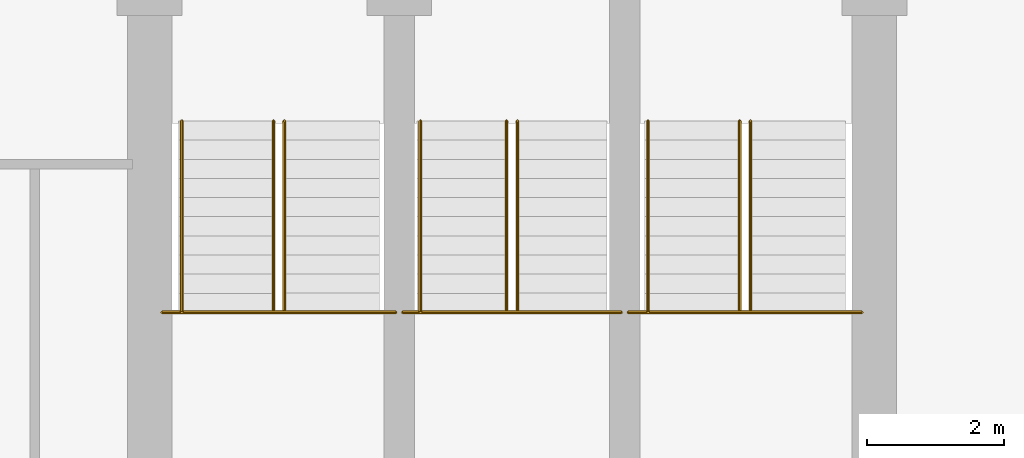
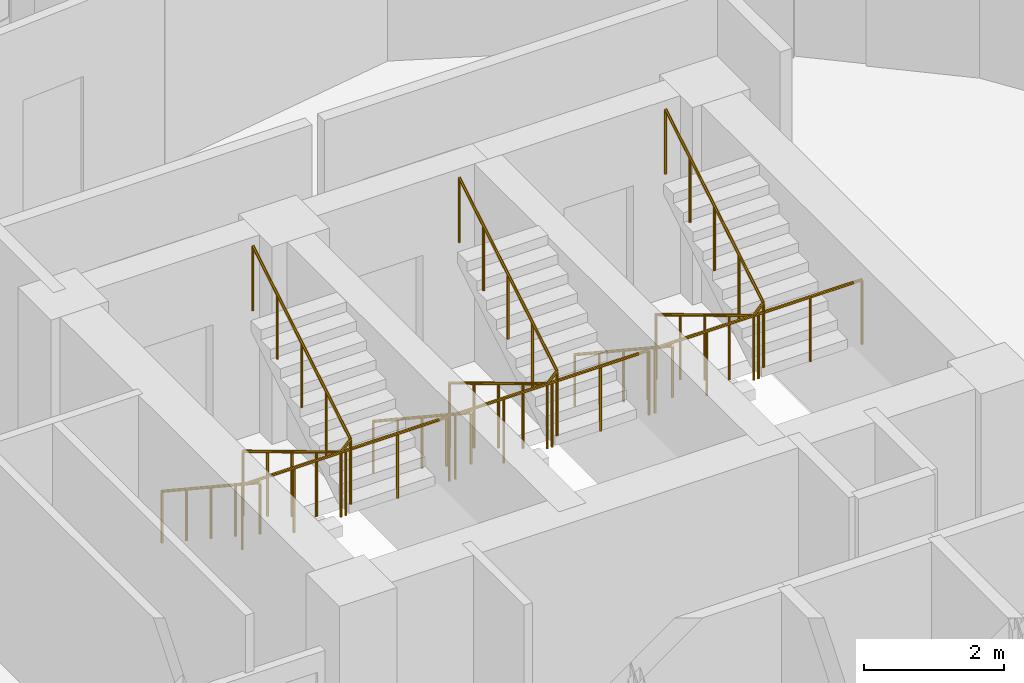
# One storey, part 26 of 26: 9 railings.
"""IFC4 building model written with IfcOpenShell, lengths in metres."""

from ifc_helpers import new_model, si_unit, direction, frame, origin, place, context, subcontext, project, spatial, polyline, outline, extrude, material, type_object, element, save


model = new_model("IFC4")

# Units and contexts
model_context = context("Model", 3, precision=1e-05, world=origin(), true_north=direction((0.0, 1.0)))
body_context = subcontext(model_context, "Body", "Model", "MODEL_VIEW")
ifc_project = project(units=[si_unit("LENGTHUNIT", "METRE"), si_unit("AREAUNIT", "SQUARE_METRE"), si_unit("VOLUMEUNIT", "CUBIC_METRE"), si_unit("PLANEANGLEUNIT", "RADIAN"), si_unit("MASSUNIT", "GRAM", prefix="KILO")], contexts=[model_context])

# Site, building, storey
site_placement = place(None, origin())
site = spatial("IfcSite", under=ifc_project, at=site_placement, CompositionType="ELEMENT")
building_placement = place(site_placement, origin())
building = spatial("IfcBuilding", under=site, at=building_placement, Name="Nuhasar Tower", CompositionType="ELEMENT")
storey_placement = place(building_placement, frame((0.0, 0.0, 173.75)))
storey = spatial("IfcBuildingStorey", under=building, at=storey_placement, Name="L42", CompositionType="ELEMENT", Elevation=173.75)

# Railings
ifc_material_1 = material(Name="Steel S355", Category="steel")
railing_type_1 = type_object("IfcRailingType", Name="RLG-STAIR-GUARD-1150", PredefinedType="GUARDRAIL", material=ifc_material_1)
railing_1_placement = place(storey_placement, frame((33.8798828125, 32.485107421875, 1.85009765625)))
element("IfcRailing", 1, at=railing_1_placement, inside=storey, type_object=railing_type_1, Name="L42 Stair ST-01 Guardrail LND", PredefinedType="GUARDRAIL", context=body_context, shape_type="SweptSolid", body=[
    extrude(outline(polyline([(0.024169921875, 0.0), (0.01708984375, 0.01708984375), (0.0, 0.024169921875), (-0.01708984375, 0.01708984375), (-0.024169921875, 0.0), (-0.01708984375, -0.01708984375), (0.0, -0.024169921875), (0.01708984375, -0.01708984375), (0.024169921875, 0.0)])), frame((0.0, 0.0, 1.1259765625), z_axis=(1.0, 0.0, 0.0), x_axis=(0.0, 1.0, 0.0)), (0.0, 0.0, 1.0), 3.420166015625),
    extrude(outline(polyline([(0.02099609375, 0.0), (0.014892578125, 0.014892578125), (0.0, 0.02099609375), (-0.014892578125, 0.014892578125), (-0.02099609375, 0.0), (-0.014892578125, -0.014892578125), (0.0, -0.02099609375), (0.014892578125, -0.014892578125), (0.02099609375, 0.0)])), origin(), (0.0, 0.0, 1.0), 1.101806640625),
    extrude(outline(polyline([(0.02099609375, 0.0), (0.014892578125, 0.014892578125), (0.0, 0.02099609375), (-0.014892578125, 0.014892578125), (-0.02099609375, 0.0), (-0.014892578125, -0.014892578125), (0.0, -0.02099609375), (0.014892578125, -0.014892578125), (0.02099609375, 0.0)])), frame((0.85498046875, 0.0, 0.0)), (0.0, 0.0, 1.0), 1.101806640625),
    extrude(outline(polyline([(0.02099609375, 0.0), (0.014892578125, 0.014892578125), (0.0, 0.02099609375), (-0.014892578125, 0.014892578125), (-0.02099609375, 0.0), (-0.014892578125, -0.014892578125), (0.0, -0.02099609375), (0.014892578125, -0.014892578125), (0.02099609375, 0.0)])), frame((1.7099609375, 0.0, 0.0)), (0.0, 0.0, 1.0), 1.101806640625),
    extrude(outline(polyline([(0.02099609375, 0.0), (0.014892578125, 0.014892578125), (0.0, 0.02099609375), (-0.014892578125, 0.014892578125), (-0.02099609375, 0.0), (-0.014892578125, -0.014892578125), (0.0, -0.02099609375), (0.014892578125, -0.014892578125), (0.02099609375, 0.0)])), frame((2.565185546875, 0.0, 0.0)), (0.0, 0.0, 1.0), 1.101806640625),
    extrude(outline(polyline([(0.02099609375, 0.0), (0.014892578125, 0.014892578125), (0.0, 0.02099609375), (-0.014892578125, 0.014892578125), (-0.02099609375, 0.0), (-0.014892578125, -0.014892578125), (0.0, -0.02099609375), (0.014892578125, -0.014892578125), (0.02099609375, 0.0)])), frame((3.420166015625, 0.0, 0.0)), (0.0, 0.0, 1.0), 1.101806640625),
])
railing_2_placement = place(storey_placement, frame((35.510009765625, 35.284912109375, 0.16796875)))
element("IfcRailing", 2, at=railing_2_placement, inside=storey, type_object=railing_type_1, Name="L42 Stair ST-01 Guardrail SLT", PredefinedType="GUARDRAIL", context=body_context, shape_type="SweptSolid", body=[
    extrude(outline(polyline([(0.024169921875, 0.0), (0.01708984375, 0.01708984375), (0.0, 0.024169921875), (-0.01708984375, 0.01708984375), (-0.024169921875, 0.0), (-0.01708984375, -0.01708984375), (0.0, -0.024169921875), (0.01708984375, -0.01708984375), (0.024169921875, 0.0)])), frame((0.0, 0.0, 1.1259765625), z_axis=(0.0, -0.857189395008, 0.515001302023), x_axis=(1.0, 0.0, 0.0)), (0.0, 0.0, 1.0), 3.266357421875),
    extrude(outline(polyline([(0.024169921875, 0.0), (0.01708984375, 0.01708984375), (0.0, 0.024169921875), (-0.01708984375, 0.01708984375), (-0.024169921875, 0.0), (-0.01708984375, -0.01708984375), (0.0, -0.024169921875), (0.01708984375, -0.01708984375), (0.024169921875, 0.0)])), frame((0.0, -2.7998046875, 2.80810546875), z_axis=(0.689523729023, 0.0, 0.72426309247), x_axis=(0.0, 1.0, 0.0)), (0.0, 0.0, 1.0), 0.23193359375),
    extrude(outline(polyline([(0.024169921875, 0.0), (0.01708984375, 0.01708984375), (0.0, 0.024169921875), (-0.01708984375, 0.01708984375), (-0.024169921875, 0.0), (-0.01708984375, -0.01708984375), (0.0, -0.024169921875), (0.01708984375, -0.01708984375), (0.024169921875, 0.0)])), frame((0.159912109375, -2.7998046875, 2.97607421875), z_axis=(0.0, 0.857222391501, 0.514946377315), x_axis=(-1.0, 0.0, 0.0)), (0.0, 0.0, 1.0), 3.26611328125),
    extrude(outline(polyline([(0.02099609375, 0.0), (0.014892578125, 0.014892578125), (0.0, 0.02099609375), (-0.014892578125, 0.014892578125), (-0.02099609375, 0.0), (-0.014892578125, -0.014892578125), (0.0, -0.02099609375), (0.014892578125, -0.014892578125), (0.02099609375, 0.0)])), origin(), (0.0, 0.0, 1.0), 1.101806640625),
    extrude(outline(polyline([(0.02099609375, 0.0), (0.014892578125, 0.014892578125), (0.0, 0.02099609375), (-0.014892578125, 0.014892578125), (-0.02099609375, 0.0), (-0.014892578125, -0.014892578125), (0.0, -0.02099609375), (0.014892578125, -0.014892578125), (0.02099609375, 0.0)])), frame((0.0, -0.699951171875, 0.42041015625)), (0.0, 0.0, 1.0), 1.101806640625),
    extrude(outline(polyline([(0.02099609375, 0.0), (0.014892578125, 0.014892578125), (0.0, 0.02099609375), (-0.014892578125, 0.014892578125), (-0.02099609375, 0.0), (-0.014892578125, -0.014892578125), (0.0, -0.02099609375), (0.014892578125, -0.014892578125), (0.02099609375, 0.0)])), frame((0.0, -1.39990234375, 0.841064453125)), (0.0, 0.0, 1.0), 1.101806640625),
    extrude(outline(polyline([(0.02099609375, 0.0), (0.014892578125, 0.014892578125), (0.0, 0.02099609375), (-0.014892578125, 0.014892578125), (-0.02099609375, 0.0), (-0.014892578125, -0.014892578125), (0.0, -0.02099609375), (0.014892578125, -0.014892578125), (0.02099609375, 0.0)])), frame((0.0, -2.099853515625, 1.26171875)), (0.0, 0.0, 1.0), 1.101806640625),
    extrude(outline(polyline([(0.02099609375, 0.0), (0.014892578125, 0.014892578125), (0.0, 0.02099609375), (-0.014892578125, 0.014892578125), (-0.02099609375, 0.0), (-0.014892578125, -0.014892578125), (0.0, -0.02099609375), (0.014892578125, -0.014892578125), (0.02099609375, 0.0)])), frame((0.0, -2.7998046875, 1.68212890625)), (0.0, 0.0, 1.0), 1.101806640625),
    extrude(outline(polyline([(0.02099609375, 0.0), (0.014892578125, 0.014892578125), (0.0, 0.02099609375), (-0.014892578125, 0.014892578125), (-0.02099609375, 0.0), (-0.014892578125, -0.014892578125), (0.0, -0.02099609375), (0.014892578125, -0.014892578125), (0.02099609375, 0.0)])), frame((0.159912109375, -2.7998046875, 1.85009765625)), (0.0, 0.0, 1.0), 1.101806640625),
    extrude(outline(polyline([(0.02099609375, 0.0), (0.014892578125, 0.014892578125), (0.0, 0.02099609375), (-0.014892578125, 0.014892578125), (-0.02099609375, 0.0), (-0.014892578125, -0.014892578125), (0.0, -0.02099609375), (0.014892578125, -0.014892578125), (0.02099609375, 0.0)])), frame((0.159912109375, -2.099853515625, 2.2705078125)), (0.0, 0.0, 1.0), 1.101806640625),
    extrude(outline(polyline([(0.02099609375, 0.0), (0.014892578125, 0.014892578125), (0.0, 0.02099609375), (-0.014892578125, 0.014892578125), (-0.02099609375, 0.0), (-0.014892578125, -0.014892578125), (0.0, -0.02099609375), (0.014892578125, -0.014892578125), (0.02099609375, 0.0)])), frame((0.159912109375, -1.39990234375, 2.69091796875)), (0.0, 0.0, 1.0), 1.101806640625),
    extrude(outline(polyline([(0.02099609375, 0.0), (0.014892578125, 0.014892578125), (0.0, 0.02099609375), (-0.014892578125, 0.014892578125), (-0.02099609375, 0.0), (-0.014892578125, -0.014892578125), (0.0, -0.02099609375), (0.014892578125, -0.014892578125), (0.02099609375, 0.0)])), frame((0.159912109375, -0.699951171875, 3.111572265625)), (0.0, 0.0, 1.0), 1.101806640625),
    extrude(outline(polyline([(0.02099609375, 0.0), (0.014892578125, 0.014892578125), (0.0, 0.02099609375), (-0.014892578125, 0.014892578125), (-0.02099609375, 0.0), (-0.014892578125, -0.014892578125), (0.0, -0.02099609375), (0.014892578125, -0.014892578125), (0.02099609375, 0.0)])), frame((0.159912109375, 0.0, 3.531982421875)), (0.0, 0.0, 1.0), 1.101806640625),
])
railing_3_placement = place(storey_placement, frame((37.39990234375, 32.485107421875, 1.85009765625)))
element("IfcRailing", 3, at=railing_3_placement, inside=storey, type_object=railing_type_1, Name="L42 Stair ST-03 Guardrail LND", PredefinedType="GUARDRAIL", context=body_context, shape_type="SweptSolid", body=[
    extrude(outline(polyline([(0.024169921875, 0.0), (0.01708984375, 0.01708984375), (0.0, 0.024169921875), (-0.01708984375, 0.01708984375), (-0.024169921875, 0.0), (-0.01708984375, -0.01708984375), (0.0, -0.024169921875), (0.01708984375, -0.01708984375), (0.024169921875, 0.0)])), frame((0.0, 0.0, 1.1259765625), z_axis=(1.0, 0.0, 0.0), x_axis=(0.0, 1.0, 0.0)), (0.0, 0.0, 1.0), 3.2001953125),
    extrude(outline(polyline([(0.02099609375, 0.0), (0.014892578125, 0.014892578125), (0.0, 0.02099609375), (-0.014892578125, 0.014892578125), (-0.02099609375, 0.0), (-0.014892578125, -0.014892578125), (0.0, -0.02099609375), (0.014892578125, -0.014892578125), (0.02099609375, 0.0)])), origin(), (0.0, 0.0, 1.0), 1.101806640625),
    extrude(outline(polyline([(0.02099609375, 0.0), (0.014892578125, 0.014892578125), (0.0, 0.02099609375), (-0.014892578125, 0.014892578125), (-0.02099609375, 0.0), (-0.014892578125, -0.014892578125), (0.0, -0.02099609375), (0.014892578125, -0.014892578125), (0.02099609375, 0.0)])), frame((0.800048828125, 0.0, 0.0)), (0.0, 0.0, 1.0), 1.101806640625),
    extrude(outline(polyline([(0.02099609375, 0.0), (0.014892578125, 0.014892578125), (0.0, 0.02099609375), (-0.014892578125, 0.014892578125), (-0.02099609375, 0.0), (-0.014892578125, -0.014892578125), (0.0, -0.02099609375), (0.014892578125, -0.014892578125), (0.02099609375, 0.0)])), frame((1.60009765625, 0.0, 0.0)), (0.0, 0.0, 1.0), 1.101806640625),
    extrude(outline(polyline([(0.02099609375, 0.0), (0.014892578125, 0.014892578125), (0.0, 0.02099609375), (-0.014892578125, 0.014892578125), (-0.02099609375, 0.0), (-0.014892578125, -0.014892578125), (0.0, -0.02099609375), (0.014892578125, -0.014892578125), (0.02099609375, 0.0)])), frame((2.400146484375, 0.0, 0.0)), (0.0, 0.0, 1.0), 1.101806640625),
    extrude(outline(polyline([(0.02099609375, 0.0), (0.014892578125, 0.014892578125), (0.0, 0.02099609375), (-0.014892578125, 0.014892578125), (-0.02099609375, 0.0), (-0.014892578125, -0.014892578125), (0.0, -0.02099609375), (0.014892578125, -0.014892578125), (0.02099609375, 0.0)])), frame((3.2001953125, 0.0, 0.0)), (0.0, 0.0, 1.0), 1.101806640625),
])
railing_4_placement = place(storey_placement, frame((38.919921875, 35.284912109375, 0.16796875)))
element("IfcRailing", 4, at=railing_4_placement, inside=storey, type_object=railing_type_1, Name="L42 Stair ST-03 Guardrail SLT", PredefinedType="GUARDRAIL", context=body_context, shape_type="SweptSolid", body=[
    extrude(outline(polyline([(0.024169921875, 0.0), (0.01708984375, 0.01708984375), (0.0, 0.024169921875), (-0.01708984375, 0.01708984375), (-0.024169921875, 0.0), (-0.01708984375, -0.01708984375), (0.0, -0.024169921875), (0.01708984375, -0.01708984375), (0.024169921875, 0.0)])), frame((0.0, 0.0, 1.1259765625), z_axis=(0.0, -0.857189395008, 0.515001302023), x_axis=(1.0, 0.0, 0.0)), (0.0, 0.0, 1.0), 3.266357421875),
    extrude(outline(polyline([(0.024169921875, 0.0), (0.01708984375, 0.01708984375), (0.0, 0.024169921875), (-0.01708984375, 0.01708984375), (-0.024169921875, 0.0), (-0.01708984375, -0.01708984375), (0.0, -0.024169921875), (0.01708984375, -0.01708984375), (0.024169921875, 0.0)])), frame((0.0, -2.7998046875, 2.80810546875), z_axis=(0.690075333573, 0.0, 0.723737544967), x_axis=(0.0, 1.0, 0.0)), (0.0, 0.0, 1.0), 0.232177734375),
    extrude(outline(polyline([(0.024169921875, 0.0), (0.01708984375, 0.01708984375), (0.0, 0.024169921875), (-0.01708984375, 0.01708984375), (-0.024169921875, 0.0), (-0.01708984375, -0.01708984375), (0.0, -0.024169921875), (0.01708984375, -0.01708984375), (0.024169921875, 0.0)])), frame((0.16015625, -2.7998046875, 2.97607421875), z_axis=(0.0, 0.857222391501, 0.514946377315), x_axis=(-1.0, 0.0, 0.0)), (0.0, 0.0, 1.0), 3.26611328125),
    extrude(outline(polyline([(0.02099609375, 0.0), (0.014892578125, 0.014892578125), (0.0, 0.02099609375), (-0.014892578125, 0.014892578125), (-0.02099609375, 0.0), (-0.014892578125, -0.014892578125), (0.0, -0.02099609375), (0.014892578125, -0.014892578125), (0.02099609375, 0.0)])), origin(), (0.0, 0.0, 1.0), 1.101806640625),
    extrude(outline(polyline([(0.02099609375, 0.0), (0.014892578125, 0.014892578125), (0.0, 0.02099609375), (-0.014892578125, 0.014892578125), (-0.02099609375, 0.0), (-0.014892578125, -0.014892578125), (0.0, -0.02099609375), (0.014892578125, -0.014892578125), (0.02099609375, 0.0)])), frame((0.0, -0.699951171875, 0.42041015625)), (0.0, 0.0, 1.0), 1.101806640625),
    extrude(outline(polyline([(0.02099609375, 0.0), (0.014892578125, 0.014892578125), (0.0, 0.02099609375), (-0.014892578125, 0.014892578125), (-0.02099609375, 0.0), (-0.014892578125, -0.014892578125), (0.0, -0.02099609375), (0.014892578125, -0.014892578125), (0.02099609375, 0.0)])), frame((0.0, -1.39990234375, 0.841064453125)), (0.0, 0.0, 1.0), 1.101806640625),
    extrude(outline(polyline([(0.02099609375, 0.0), (0.014892578125, 0.014892578125), (0.0, 0.02099609375), (-0.014892578125, 0.014892578125), (-0.02099609375, 0.0), (-0.014892578125, -0.014892578125), (0.0, -0.02099609375), (0.014892578125, -0.014892578125), (0.02099609375, 0.0)])), frame((0.0, -2.099853515625, 1.26171875)), (0.0, 0.0, 1.0), 1.101806640625),
    extrude(outline(polyline([(0.02099609375, 0.0), (0.014892578125, 0.014892578125), (0.0, 0.02099609375), (-0.014892578125, 0.014892578125), (-0.02099609375, 0.0), (-0.014892578125, -0.014892578125), (0.0, -0.02099609375), (0.014892578125, -0.014892578125), (0.02099609375, 0.0)])), frame((0.0, -2.7998046875, 1.68212890625)), (0.0, 0.0, 1.0), 1.101806640625),
    extrude(outline(polyline([(0.02099609375, 0.0), (0.014892578125, 0.014892578125), (0.0, 0.02099609375), (-0.014892578125, 0.014892578125), (-0.02099609375, 0.0), (-0.014892578125, -0.014892578125), (0.0, -0.02099609375), (0.014892578125, -0.014892578125), (0.02099609375, 0.0)])), frame((0.16015625, -2.7998046875, 1.85009765625)), (0.0, 0.0, 1.0), 1.101806640625),
    extrude(outline(polyline([(0.02099609375, 0.0), (0.014892578125, 0.014892578125), (0.0, 0.02099609375), (-0.014892578125, 0.014892578125), (-0.02099609375, 0.0), (-0.014892578125, -0.014892578125), (0.0, -0.02099609375), (0.014892578125, -0.014892578125), (0.02099609375, 0.0)])), frame((0.16015625, -2.099853515625, 2.2705078125)), (0.0, 0.0, 1.0), 1.101806640625),
    extrude(outline(polyline([(0.02099609375, 0.0), (0.014892578125, 0.014892578125), (0.0, 0.02099609375), (-0.014892578125, 0.014892578125), (-0.02099609375, 0.0), (-0.014892578125, -0.014892578125), (0.0, -0.02099609375), (0.014892578125, -0.014892578125), (0.02099609375, 0.0)])), frame((0.16015625, -1.39990234375, 2.69091796875)), (0.0, 0.0, 1.0), 1.101806640625),
    extrude(outline(polyline([(0.02099609375, 0.0), (0.014892578125, 0.014892578125), (0.0, 0.02099609375), (-0.014892578125, 0.014892578125), (-0.02099609375, 0.0), (-0.014892578125, -0.014892578125), (0.0, -0.02099609375), (0.014892578125, -0.014892578125), (0.02099609375, 0.0)])), frame((0.16015625, -0.699951171875, 3.111572265625)), (0.0, 0.0, 1.0), 1.101806640625),
    extrude(outline(polyline([(0.02099609375, 0.0), (0.014892578125, 0.014892578125), (0.0, 0.02099609375), (-0.014892578125, 0.014892578125), (-0.02099609375, 0.0), (-0.014892578125, -0.014892578125), (0.0, -0.02099609375), (0.014892578125, -0.014892578125), (0.02099609375, 0.0)])), frame((0.16015625, 0.0, 3.531982421875)), (0.0, 0.0, 1.0), 1.101806640625),
])
railing_5_placement = place(storey_placement, frame((40.699951171875, 32.485107421875, 1.85009765625)))
element("IfcRailing", 5, at=railing_5_placement, inside=storey, type_object=railing_type_1, Name="L42 Stair ST-02 Guardrail LND", PredefinedType="GUARDRAIL", context=body_context, shape_type="SweptSolid", body=[
    extrude(outline(polyline([(0.024169921875, 0.0), (0.01708984375, 0.01708984375), (0.0, 0.024169921875), (-0.01708984375, 0.01708984375), (-0.024169921875, 0.0), (-0.01708984375, -0.01708984375), (0.0, -0.024169921875), (0.01708984375, -0.01708984375), (0.024169921875, 0.0)])), frame((0.0, 0.0, 1.1259765625), z_axis=(1.0, 0.0, 0.0), x_axis=(0.0, 1.0, 0.0)), (0.0, 0.0, 1.0), 3.420166015625),
    extrude(outline(polyline([(0.02099609375, 0.0), (0.014892578125, 0.014892578125), (0.0, 0.02099609375), (-0.014892578125, 0.014892578125), (-0.02099609375, 0.0), (-0.014892578125, -0.014892578125), (0.0, -0.02099609375), (0.014892578125, -0.014892578125), (0.02099609375, 0.0)])), origin(), (0.0, 0.0, 1.0), 1.101806640625),
    extrude(outline(polyline([(0.02099609375, 0.0), (0.014892578125, 0.014892578125), (0.0, 0.02099609375), (-0.014892578125, 0.014892578125), (-0.02099609375, 0.0), (-0.014892578125, -0.014892578125), (0.0, -0.02099609375), (0.014892578125, -0.014892578125), (0.02099609375, 0.0)])), frame((0.85498046875, 0.0, 0.0)), (0.0, 0.0, 1.0), 1.101806640625),
    extrude(outline(polyline([(0.02099609375, 0.0), (0.014892578125, 0.014892578125), (0.0, 0.02099609375), (-0.014892578125, 0.014892578125), (-0.02099609375, 0.0), (-0.014892578125, -0.014892578125), (0.0, -0.02099609375), (0.014892578125, -0.014892578125), (0.02099609375, 0.0)])), frame((1.7099609375, 0.0, 0.0)), (0.0, 0.0, 1.0), 1.101806640625),
    extrude(outline(polyline([(0.02099609375, 0.0), (0.014892578125, 0.014892578125), (0.0, 0.02099609375), (-0.014892578125, 0.014892578125), (-0.02099609375, 0.0), (-0.014892578125, -0.014892578125), (0.0, -0.02099609375), (0.014892578125, -0.014892578125), (0.02099609375, 0.0)])), frame((2.565185546875, 0.0, 0.0)), (0.0, 0.0, 1.0), 1.101806640625),
    extrude(outline(polyline([(0.02099609375, 0.0), (0.014892578125, 0.014892578125), (0.0, 0.02099609375), (-0.014892578125, 0.014892578125), (-0.02099609375, 0.0), (-0.014892578125, -0.014892578125), (0.0, -0.02099609375), (0.014892578125, -0.014892578125), (0.02099609375, 0.0)])), frame((3.420166015625, 0.0, 0.0)), (0.0, 0.0, 1.0), 1.101806640625),
])
railing_6_placement = place(storey_placement, frame((42.330078125, 35.284912109375, 0.16796875)))
element("IfcRailing", 6, at=railing_6_placement, inside=storey, type_object=railing_type_1, Name="L42 Stair ST-02 Guardrail SLT", PredefinedType="GUARDRAIL", context=body_context, shape_type="SweptSolid", body=[
    extrude(outline(polyline([(0.024169921875, 0.0), (0.01708984375, 0.01708984375), (0.0, 0.024169921875), (-0.01708984375, 0.01708984375), (-0.024169921875, 0.0), (-0.01708984375, -0.01708984375), (0.0, -0.024169921875), (0.01708984375, -0.01708984375), (0.024169921875, 0.0)])), frame((0.0, 0.0, 1.1259765625), z_axis=(0.0, -0.857189395008, 0.515001302023), x_axis=(1.0, 0.0, 0.0)), (0.0, 0.0, 1.0), 3.266357421875),
    extrude(outline(polyline([(0.024169921875, 0.0), (0.01708984375, 0.01708984375), (0.0, 0.024169921875), (-0.01708984375, 0.01708984375), (-0.024169921875, 0.0), (-0.01708984375, -0.01708984375), (0.0, -0.024169921875), (0.01708984375, -0.01708984375), (0.024169921875, 0.0)])), frame((0.0, -2.7998046875, 2.80810546875), z_axis=(0.689523729023, 0.0, 0.72426309247), x_axis=(0.0, 1.0, 0.0)), (0.0, 0.0, 1.0), 0.23193359375),
    extrude(outline(polyline([(0.024169921875, 0.0), (0.01708984375, 0.01708984375), (0.0, 0.024169921875), (-0.01708984375, 0.01708984375), (-0.024169921875, 0.0), (-0.01708984375, -0.01708984375), (0.0, -0.024169921875), (0.01708984375, -0.01708984375), (0.024169921875, 0.0)])), frame((0.159912109375, -2.7998046875, 2.97607421875), z_axis=(0.0, 0.857222391501, 0.514946377315), x_axis=(-1.0, 0.0, 0.0)), (0.0, 0.0, 1.0), 3.26611328125),
    extrude(outline(polyline([(0.02099609375, 0.0), (0.014892578125, 0.014892578125), (0.0, 0.02099609375), (-0.014892578125, 0.014892578125), (-0.02099609375, 0.0), (-0.014892578125, -0.014892578125), (0.0, -0.02099609375), (0.014892578125, -0.014892578125), (0.02099609375, 0.0)])), origin(), (0.0, 0.0, 1.0), 1.101806640625),
    extrude(outline(polyline([(0.02099609375, 0.0), (0.014892578125, 0.014892578125), (0.0, 0.02099609375), (-0.014892578125, 0.014892578125), (-0.02099609375, 0.0), (-0.014892578125, -0.014892578125), (0.0, -0.02099609375), (0.014892578125, -0.014892578125), (0.02099609375, 0.0)])), frame((0.0, -0.699951171875, 0.42041015625)), (0.0, 0.0, 1.0), 1.101806640625),
    extrude(outline(polyline([(0.02099609375, 0.0), (0.014892578125, 0.014892578125), (0.0, 0.02099609375), (-0.014892578125, 0.014892578125), (-0.02099609375, 0.0), (-0.014892578125, -0.014892578125), (0.0, -0.02099609375), (0.014892578125, -0.014892578125), (0.02099609375, 0.0)])), frame((0.0, -1.39990234375, 0.841064453125)), (0.0, 0.0, 1.0), 1.101806640625),
    extrude(outline(polyline([(0.02099609375, 0.0), (0.014892578125, 0.014892578125), (0.0, 0.02099609375), (-0.014892578125, 0.014892578125), (-0.02099609375, 0.0), (-0.014892578125, -0.014892578125), (0.0, -0.02099609375), (0.014892578125, -0.014892578125), (0.02099609375, 0.0)])), frame((0.0, -2.099853515625, 1.26171875)), (0.0, 0.0, 1.0), 1.101806640625),
    extrude(outline(polyline([(0.02099609375, 0.0), (0.014892578125, 0.014892578125), (0.0, 0.02099609375), (-0.014892578125, 0.014892578125), (-0.02099609375, 0.0), (-0.014892578125, -0.014892578125), (0.0, -0.02099609375), (0.014892578125, -0.014892578125), (0.02099609375, 0.0)])), frame((0.0, -2.7998046875, 1.68212890625)), (0.0, 0.0, 1.0), 1.101806640625),
    extrude(outline(polyline([(0.02099609375, 0.0), (0.014892578125, 0.014892578125), (0.0, 0.02099609375), (-0.014892578125, 0.014892578125), (-0.02099609375, 0.0), (-0.014892578125, -0.014892578125), (0.0, -0.02099609375), (0.014892578125, -0.014892578125), (0.02099609375, 0.0)])), frame((0.159912109375, -2.7998046875, 1.85009765625)), (0.0, 0.0, 1.0), 1.101806640625),
    extrude(outline(polyline([(0.02099609375, 0.0), (0.014892578125, 0.014892578125), (0.0, 0.02099609375), (-0.014892578125, 0.014892578125), (-0.02099609375, 0.0), (-0.014892578125, -0.014892578125), (0.0, -0.02099609375), (0.014892578125, -0.014892578125), (0.02099609375, 0.0)])), frame((0.159912109375, -2.099853515625, 2.2705078125)), (0.0, 0.0, 1.0), 1.101806640625),
    extrude(outline(polyline([(0.02099609375, 0.0), (0.014892578125, 0.014892578125), (0.0, 0.02099609375), (-0.014892578125, 0.014892578125), (-0.02099609375, 0.0), (-0.014892578125, -0.014892578125), (0.0, -0.02099609375), (0.014892578125, -0.014892578125), (0.02099609375, 0.0)])), frame((0.159912109375, -1.39990234375, 2.69091796875)), (0.0, 0.0, 1.0), 1.101806640625),
    extrude(outline(polyline([(0.02099609375, 0.0), (0.014892578125, 0.014892578125), (0.0, 0.02099609375), (-0.014892578125, 0.014892578125), (-0.02099609375, 0.0), (-0.014892578125, -0.014892578125), (0.0, -0.02099609375), (0.014892578125, -0.014892578125), (0.02099609375, 0.0)])), frame((0.159912109375, -0.699951171875, 3.111572265625)), (0.0, 0.0, 1.0), 1.101806640625),
    extrude(outline(polyline([(0.02099609375, 0.0), (0.014892578125, 0.014892578125), (0.0, 0.02099609375), (-0.014892578125, 0.014892578125), (-0.02099609375, 0.0), (-0.014892578125, -0.014892578125), (0.0, -0.02099609375), (0.014892578125, -0.014892578125), (0.02099609375, 0.0)])), frame((0.159912109375, 0.0, 3.531982421875)), (0.0, 0.0, 1.0), 1.101806640625),
])
ifc_material_2 = material(Name="Stainless Steel 316L", Category="steel")
railing_type_2 = type_object("IfcRailingType", Name="RLG-STAIR-HAND-920", PredefinedType="HANDRAIL", material=ifc_material_2)
railing_7_placement = place(storey_placement, frame((34.169921875, 35.284912109375, 0.16796875)))
element("IfcRailing", 7, at=railing_7_placement, inside=storey, type_object=railing_type_2, Name="L42 Stair ST-01 Handrail HND1", PredefinedType="HANDRAIL", context=body_context, shape_type="SweptSolid", body=[
    extrude(outline(polyline([(0.024169921875, 0.0), (0.01708984375, 0.01708984375), (0.0, 0.024169921875), (-0.01708984375, 0.01708984375), (-0.024169921875, 0.0), (-0.01708984375, -0.01708984375), (0.0, -0.024169921875), (0.01708984375, -0.01708984375), (0.024169921875, 0.0)])), frame((0.0, 0.0, 0.89599609375), z_axis=(0.0, -0.834304248922, 0.551304290053), x_axis=(1.0, 0.0, 0.0)), (0.0, 0.0, 1.0), 3.35595703125),
    extrude(outline(polyline([(0.02099609375, 0.0), (0.014892578125, 0.014892578125), (0.0, 0.02099609375), (-0.014892578125, 0.014892578125), (-0.02099609375, 0.0), (-0.014892578125, -0.014892578125), (0.0, -0.02099609375), (0.014892578125, -0.014892578125), (0.02099609375, 0.0)])), origin(), (0.0, 0.0, 1.0), 0.871826171875),
    extrude(outline(polyline([(0.02099609375, 0.0), (0.014892578125, 0.014892578125), (0.0, 0.02099609375), (-0.014892578125, 0.014892578125), (-0.02099609375, 0.0), (-0.014892578125, -0.014892578125), (0.0, -0.02099609375), (0.014892578125, -0.014892578125), (0.02099609375, 0.0)])), frame((0.0, -0.699951171875, 0.46240234375)), (0.0, 0.0, 1.0), 0.871826171875),
    extrude(outline(polyline([(0.02099609375, 0.0), (0.014892578125, 0.014892578125), (0.0, 0.02099609375), (-0.014892578125, 0.014892578125), (-0.02099609375, 0.0), (-0.014892578125, -0.014892578125), (0.0, -0.02099609375), (0.014892578125, -0.014892578125), (0.02099609375, 0.0)])), frame((0.0, -1.39990234375, 0.925048828125)), (0.0, 0.0, 1.0), 0.871826171875),
    extrude(outline(polyline([(0.02099609375, 0.0), (0.014892578125, 0.014892578125), (0.0, 0.02099609375), (-0.014892578125, 0.014892578125), (-0.02099609375, 0.0), (-0.014892578125, -0.014892578125), (0.0, -0.02099609375), (0.014892578125, -0.014892578125), (0.02099609375, 0.0)])), frame((0.0, -2.099853515625, 1.3876953125)), (0.0, 0.0, 1.0), 0.871826171875),
    extrude(outline(polyline([(0.02099609375, 0.0), (0.014892578125, 0.014892578125), (0.0, 0.02099609375), (-0.014892578125, 0.014892578125), (-0.02099609375, 0.0), (-0.014892578125, -0.014892578125), (0.0, -0.02099609375), (0.014892578125, -0.014892578125), (0.02099609375, 0.0)])), frame((0.0, -2.7998046875, 1.85009765625)), (0.0, 0.0, 1.0), 0.871826171875),
])
railing_8_placement = place(storey_placement, frame((37.659912109375, 35.284912109375, 0.16796875)))
element("IfcRailing", 8, at=railing_8_placement, inside=storey, type_object=railing_type_2, Name="L42 Stair ST-03 Handrail HND1", PredefinedType="HANDRAIL", context=body_context, shape_type="SweptSolid", body=[
    extrude(outline(polyline([(0.024169921875, 0.0), (0.01708984375, 0.01708984375), (0.0, 0.024169921875), (-0.01708984375, 0.01708984375), (-0.024169921875, 0.0), (-0.01708984375, -0.01708984375), (0.0, -0.024169921875), (0.01708984375, -0.01708984375), (0.024169921875, 0.0)])), frame((0.0, 0.0, 0.89599609375), z_axis=(0.0, -0.834304248922, 0.551304290053), x_axis=(1.0, 0.0, 0.0)), (0.0, 0.0, 1.0), 3.35595703125),
    extrude(outline(polyline([(0.02099609375, 0.0), (0.014892578125, 0.014892578125), (0.0, 0.02099609375), (-0.014892578125, 0.014892578125), (-0.02099609375, 0.0), (-0.014892578125, -0.014892578125), (0.0, -0.02099609375), (0.014892578125, -0.014892578125), (0.02099609375, 0.0)])), origin(), (0.0, 0.0, 1.0), 0.871826171875),
    extrude(outline(polyline([(0.02099609375, 0.0), (0.014892578125, 0.014892578125), (0.0, 0.02099609375), (-0.014892578125, 0.014892578125), (-0.02099609375, 0.0), (-0.014892578125, -0.014892578125), (0.0, -0.02099609375), (0.014892578125, -0.014892578125), (0.02099609375, 0.0)])), frame((0.0, -0.699951171875, 0.46240234375)), (0.0, 0.0, 1.0), 0.871826171875),
    extrude(outline(polyline([(0.02099609375, 0.0), (0.014892578125, 0.014892578125), (0.0, 0.02099609375), (-0.014892578125, 0.014892578125), (-0.02099609375, 0.0), (-0.014892578125, -0.014892578125), (0.0, -0.02099609375), (0.014892578125, -0.014892578125), (0.02099609375, 0.0)])), frame((0.0, -1.39990234375, 0.925048828125)), (0.0, 0.0, 1.0), 0.871826171875),
    extrude(outline(polyline([(0.02099609375, 0.0), (0.014892578125, 0.014892578125), (0.0, 0.02099609375), (-0.014892578125, 0.014892578125), (-0.02099609375, 0.0), (-0.014892578125, -0.014892578125), (0.0, -0.02099609375), (0.014892578125, -0.014892578125), (0.02099609375, 0.0)])), frame((0.0, -2.099853515625, 1.3876953125)), (0.0, 0.0, 1.0), 0.871826171875),
    extrude(outline(polyline([(0.02099609375, 0.0), (0.014892578125, 0.014892578125), (0.0, 0.02099609375), (-0.014892578125, 0.014892578125), (-0.02099609375, 0.0), (-0.014892578125, -0.014892578125), (0.0, -0.02099609375), (0.014892578125, -0.014892578125), (0.02099609375, 0.0)])), frame((0.0, -2.7998046875, 1.85009765625)), (0.0, 0.0, 1.0), 0.871826171875),
])
railing_9_placement = place(storey_placement, frame((40.989990234375, 35.284912109375, 0.16796875)))
element("IfcRailing", 9, at=railing_9_placement, inside=storey, type_object=railing_type_2, Name="L42 Stair ST-02 Handrail HND1", PredefinedType="HANDRAIL", context=body_context, shape_type="SweptSolid", body=[
    extrude(outline(polyline([(0.024169921875, 0.0), (0.01708984375, 0.01708984375), (0.0, 0.024169921875), (-0.01708984375, 0.01708984375), (-0.024169921875, 0.0), (-0.01708984375, -0.01708984375), (0.0, -0.024169921875), (0.01708984375, -0.01708984375), (0.024169921875, 0.0)])), frame((0.0, 0.0, 0.89599609375), z_axis=(0.0, -0.834304248922, 0.551304290053), x_axis=(1.0, 0.0, 0.0)), (0.0, 0.0, 1.0), 3.35595703125),
    extrude(outline(polyline([(0.02099609375, 0.0), (0.014892578125, 0.014892578125), (0.0, 0.02099609375), (-0.014892578125, 0.014892578125), (-0.02099609375, 0.0), (-0.014892578125, -0.014892578125), (0.0, -0.02099609375), (0.014892578125, -0.014892578125), (0.02099609375, 0.0)])), origin(), (0.0, 0.0, 1.0), 0.871826171875),
    extrude(outline(polyline([(0.02099609375, 0.0), (0.014892578125, 0.014892578125), (0.0, 0.02099609375), (-0.014892578125, 0.014892578125), (-0.02099609375, 0.0), (-0.014892578125, -0.014892578125), (0.0, -0.02099609375), (0.014892578125, -0.014892578125), (0.02099609375, 0.0)])), frame((0.0, -0.699951171875, 0.46240234375)), (0.0, 0.0, 1.0), 0.871826171875),
    extrude(outline(polyline([(0.02099609375, 0.0), (0.014892578125, 0.014892578125), (0.0, 0.02099609375), (-0.014892578125, 0.014892578125), (-0.02099609375, 0.0), (-0.014892578125, -0.014892578125), (0.0, -0.02099609375), (0.014892578125, -0.014892578125), (0.02099609375, 0.0)])), frame((0.0, -1.39990234375, 0.925048828125)), (0.0, 0.0, 1.0), 0.871826171875),
    extrude(outline(polyline([(0.02099609375, 0.0), (0.014892578125, 0.014892578125), (0.0, 0.02099609375), (-0.014892578125, 0.014892578125), (-0.02099609375, 0.0), (-0.014892578125, -0.014892578125), (0.0, -0.02099609375), (0.014892578125, -0.014892578125), (0.02099609375, 0.0)])), frame((0.0, -2.099853515625, 1.3876953125)), (0.0, 0.0, 1.0), 0.871826171875),
    extrude(outline(polyline([(0.02099609375, 0.0), (0.014892578125, 0.014892578125), (0.0, 0.02099609375), (-0.014892578125, 0.014892578125), (-0.02099609375, 0.0), (-0.014892578125, -0.014892578125), (0.0, -0.02099609375), (0.014892578125, -0.014892578125), (0.02099609375, 0.0)])), frame((0.0, -2.7998046875, 1.85009765625)), (0.0, 0.0, 1.0), 0.871826171875),
])

save(model, "model.ifc")
